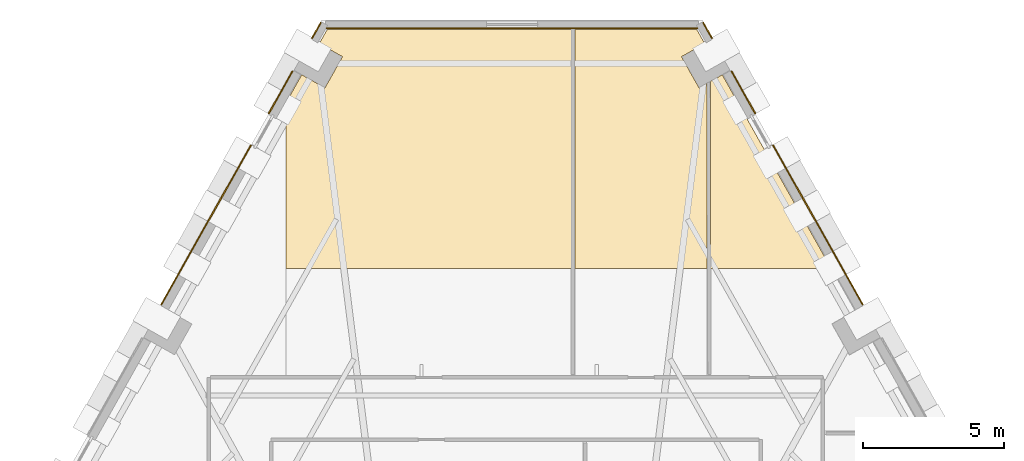
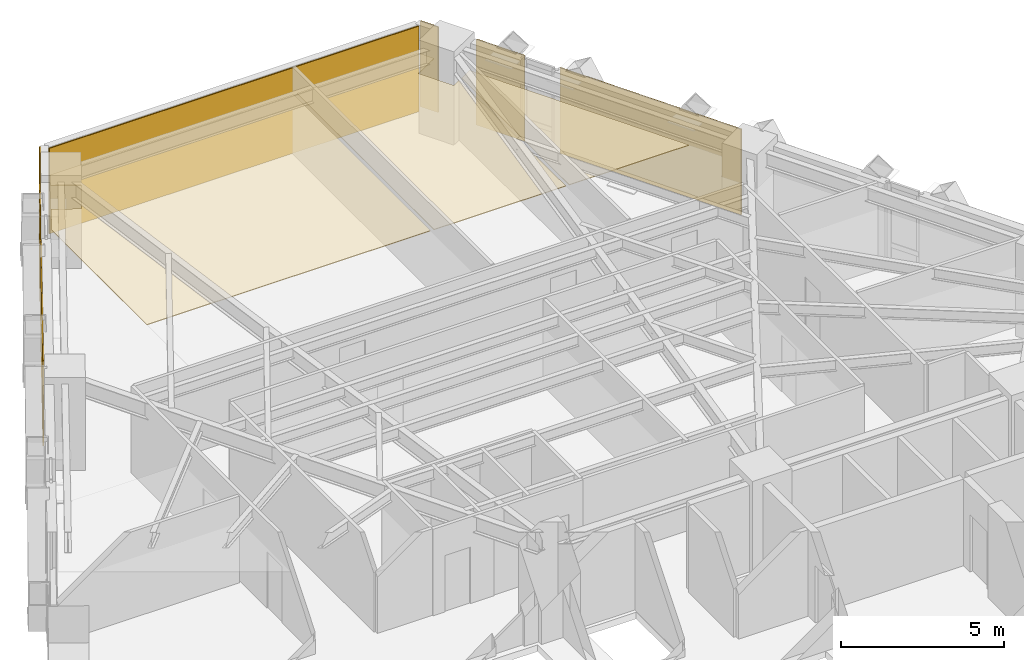
# One storey, part 13 of 13: 10 coverings.
"""IFC4 building model written with IfcOpenShell, lengths in metres."""

from ifc_helpers import new_model, si_unit, direction, frame, origin, place, context, subcontext, project, spatial, polyline, outline, extrude, material, layer, layer_set, type_object, element, save


model = new_model("IFC4")

# Units and contexts
model_context = context("Model", 3, precision=1e-05, world=origin(), true_north=direction((0.0, 1.0)))
body_context = subcontext(model_context, "Body", "Model", "MODEL_VIEW")
ifc_project = project(units=[si_unit("LENGTHUNIT", "METRE"), si_unit("AREAUNIT", "SQUARE_METRE"), si_unit("VOLUMEUNIT", "CUBIC_METRE"), si_unit("PLANEANGLEUNIT", "RADIAN"), si_unit("MASSUNIT", "GRAM", prefix="KILO")], contexts=[model_context])

# Site, building, storey
site_placement = place(None, origin())
site = spatial("IfcSite", under=ifc_project, at=site_placement, CompositionType="ELEMENT")
building_placement = place(site_placement, origin())
building = spatial("IfcBuilding", under=site, at=building_placement, Name="Quenlor Broadcast Tower", CompositionType="ELEMENT")
storey_placement = place(building_placement, frame((0.0, 0.0, 59.10009765625)))
storey = spatial("IfcBuildingStorey", under=building, at=storey_placement, Name="L15", CompositionType="ELEMENT", Elevation=59.10009765625)

# Coverings
ifc_material_1 = material(Name="Acoustic Mineral Fibre Board", Category="other")
ifc_layer_1 = layer(ifc_material_1, 0.02490234375)
ifc_layer_set_1 = layer_set([ifc_layer_1], Name="Acoustic Perforated Mineral Tile Ceiling 25")
covering_type_1 = type_object("IfcCoveringType", Name="Acoustic Perforated Mineral Tile Ceiling 25", PredefinedType="CEILING", material=ifc_layer_set_1)
covering_1_placement = place(storey_placement, frame((0.0, 0.0, 2.224853515625)))
element("IfcCovering", 1, at=covering_1_placement, inside=storey, type_object=covering_type_1, Name="L15 Acoustic Ceiling L15-31-2", PredefinedType="CEILING", context=body_context, shape_type="SweptSolid", body=[
    extrude(outline(polyline([(6.609619140625, 19.03271484375), (6.89990234375, 19.196044921875), (6.89990234375, 12.64990234375), (2.219970703125, 12.64990234375), (2.219970703125, 21.092041015625), (6.533203125, 21.092041015625), (6.810791015625, 20.598388671875), (5.989013671875, 20.135986328125), (6.609619140625, 19.03271484375)])), origin(), (0.0, 0.0, 1.0), 0.025146484375),
])
covering_2_placement = place(storey_placement, frame((0.0, 0.0, 2.224853515625)))
element("IfcCovering", 2, at=covering_2_placement, inside=storey, type_object=covering_type_1, Name="L15 Acoustic Ceiling L15-32-2", PredefinedType="CEILING", context=body_context, shape_type="SweptSolid", body=[
    extrude(outline(polyline([(-7.97998046875, 18.519775390625), (-7.431396484375, 19.4951171875), (-6.609619140625, 19.03271484375), (-5.989013671875, 20.135986328125), (-6.810791015625, 20.598388671875), (-6.533203125, 21.092041015625), (2.10009765625, 21.092041015625), (2.10009765625, 12.64990234375), (-7.97998046875, 12.64990234375), (-7.97998046875, 18.519775390625)])), origin(), (0.0, 0.0, 1.0), 0.025146484375),
])
covering_3_placement = place(storey_placement, frame((0.0, 0.0, 2.224853515625)))
element("IfcCovering", 3, at=covering_3_placement, inside=storey, type_object=covering_type_1, Name="L15 Acoustic Ceiling L15-33-2", PredefinedType="CEILING", context=body_context, shape_type="SweptSolid", body=[
    extrude(outline(polyline([(7.02001953125, 19.263427734375), (7.431396484375, 19.4951171875), (11.28173828125, 12.64990234375), (7.02001953125, 12.64990234375), (7.02001953125, 19.263427734375)])), origin(), (0.0, 0.0, 1.0), 0.025146484375),
])
ifc_material_2 = material(Name="Architectural Terracotta Ceramic", Category="masonry")
ifc_layer_2 = layer(ifc_material_2, 0.044921875)
ifc_layer_set_2 = layer_set([ifc_layer_2], Name="Fluted Terracotta Rainscreen Cladding Panel")
covering_type_2 = type_object("IfcCoveringType", Name="Fluted Terracotta Rainscreen Cladding Panel", PredefinedType="CLADDING", material=ifc_layer_set_2)
covering_4_placement = place(storey_placement, frame((0.0, 0.0, 0.02001953125)))
element("IfcCovering", 4, at=covering_4_placement, inside=storey, type_object=covering_type_2, Name="L15 Terracotta Rainscreen Cladding L15-SHD-NES0", PredefinedType="CLADDING", context=body_context, shape_type="SweptSolid", body=[
    extrude(outline(polyline([(6.734130859375, 21.330078125), (7.052001953125, 20.76513671875), (7.09130859375, 20.787109375), (6.7734375, 21.35205078125), (6.734130859375, 21.330078125)])), origin(), (0.0, 0.0, 1.0), 3.2099609375),
])
covering_5_placement = place(storey_placement, frame((0.0, 0.0, 0.02001953125)))
element("IfcCovering", 5, at=covering_5_placement, inside=storey, type_object=covering_type_2, Name="L15 Terracotta Rainscreen Cladding L15-NEA-SP1", PredefinedType="CLADDING", context=body_context, shape_type="SweptSolid", body=[
    extrude(outline(polyline([(7.735107421875, 19.612060546875), (8.57958984375, 18.110595703125), (8.618896484375, 18.1328125), (7.7744140625, 19.634033203125), (7.735107421875, 19.612060546875)])), origin(), (0.0, 0.0, 1.0), 3.2099609375),
])
covering_6_placement = place(storey_placement, frame((0.0, 0.0, 0.02001953125)))
element("IfcCovering", 6, at=covering_6_placement, inside=storey, type_object=covering_type_2, Name="L15 Terracotta Rainscreen Cladding L15-NEA-SP2", PredefinedType="CLADDING", context=body_context, shape_type="SweptSolid", body=[
    extrude(outline(polyline([(9.201904296875, 17.00439453125), (12.380615234375, 11.353515625), (12.419677734375, 11.37548828125), (9.2412109375, 17.0263671875), (9.201904296875, 17.00439453125)])), origin(), (0.0, 0.0, 1.0), 3.2099609375),
])
covering_7_placement = place(storey_placement, frame((0.0, 0.0, 0.02001953125)))
element("IfcCovering", 7, at=covering_7_placement, inside=storey, type_object=covering_type_2, Name="L15 Terracotta Rainscreen Cladding L15-SHD-NWS1", PredefinedType="CLADDING", context=body_context, shape_type="SweptSolid", body=[
    extrude(outline(polyline([(-7.052001953125, 20.76513671875), (-6.734130859375, 21.330078125), (-6.7734375, 21.35205078125), (-7.09130859375, 20.787109375), (-7.052001953125, 20.76513671875)])), origin(), (0.0, 0.0, 1.0), 3.2099609375),
])
covering_8_placement = place(storey_placement, frame((0.0, 0.0, 0.02001953125)))
element("IfcCovering", 8, at=covering_8_placement, inside=storey, type_object=covering_type_2, Name="L15 Terracotta Rainscreen Cladding L15-NWC-SP1", PredefinedType="CLADDING", context=body_context, shape_type="SweptSolid", body=[
    extrude(outline(polyline([(-12.380615234375, 11.353515625), (-9.201904296875, 17.00439453125), (-9.2412109375, 17.0263671875), (-12.419677734375, 11.37548828125), (-12.380615234375, 11.353515625)])), origin(), (0.0, 0.0, 1.0), 3.2099609375),
])
covering_9_placement = place(storey_placement, frame((0.0, 0.0, 0.02001953125)))
element("IfcCovering", 9, at=covering_9_placement, inside=storey, type_object=covering_type_2, Name="L15 Terracotta Rainscreen Cladding L15-NWC-SP2", PredefinedType="CLADDING", context=body_context, shape_type="SweptSolid", body=[
    extrude(outline(polyline([(-8.57958984375, 18.110595703125), (-7.735107421875, 19.612060546875), (-7.7744140625, 19.634033203125), (-8.618896484375, 18.1328125), (-8.57958984375, 18.110595703125)])), origin(), (0.0, 0.0, 1.0), 3.2099609375),
])
covering_10_placement = place(storey_placement, frame((0.0, 0.0, 0.02001953125)))
element("IfcCovering", 10, at=covering_10_placement, inside=storey, type_object=covering_type_2, Name="L15 Terracotta Rainscreen Cladding L15-CNR-02", PredefinedType="CLADDING", context=body_context, shape_type="SweptSolid", body=[
    extrude(outline(polyline([(6.568359375, 21.159912109375), (-6.558349609375, 21.159912109375), (-6.558349609375, 21.114990234375), (6.568359375, 21.114990234375), (6.568359375, 21.159912109375)])), origin(), (0.0, 0.0, 1.0), 3.2099609375),
])

save(model, "model.ifc")
